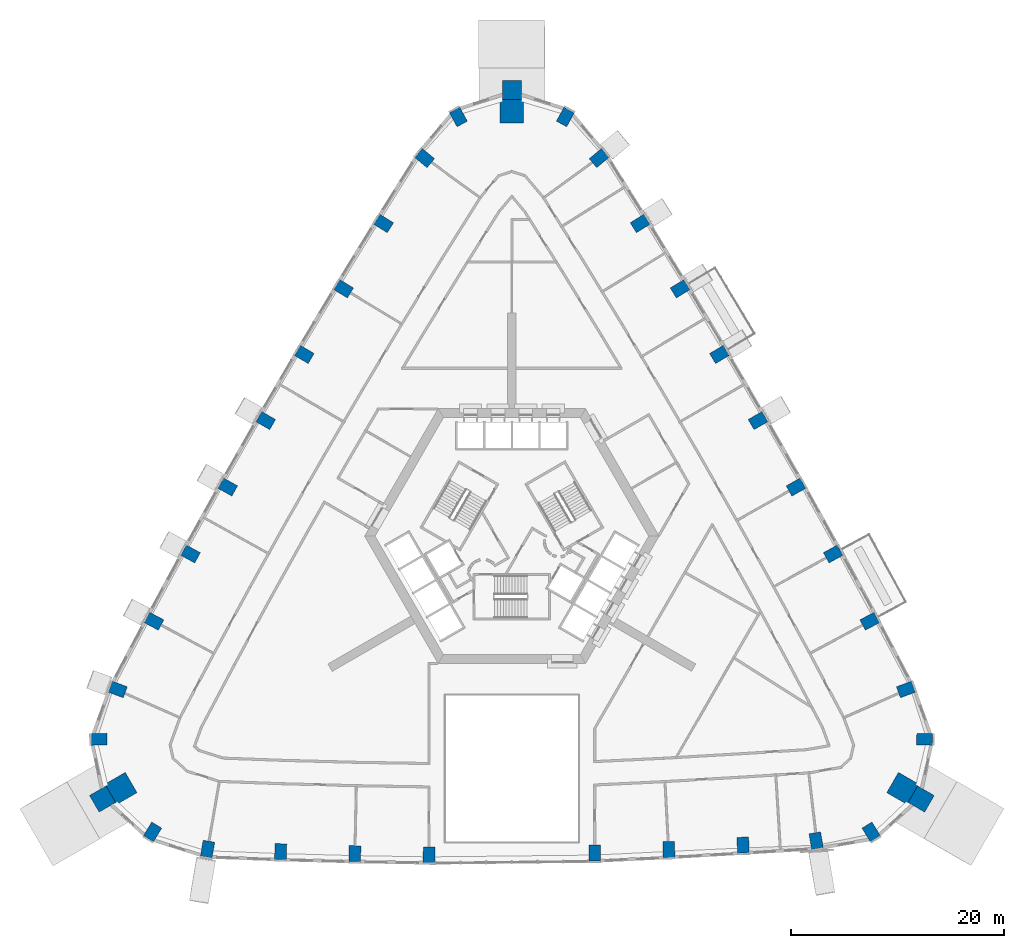
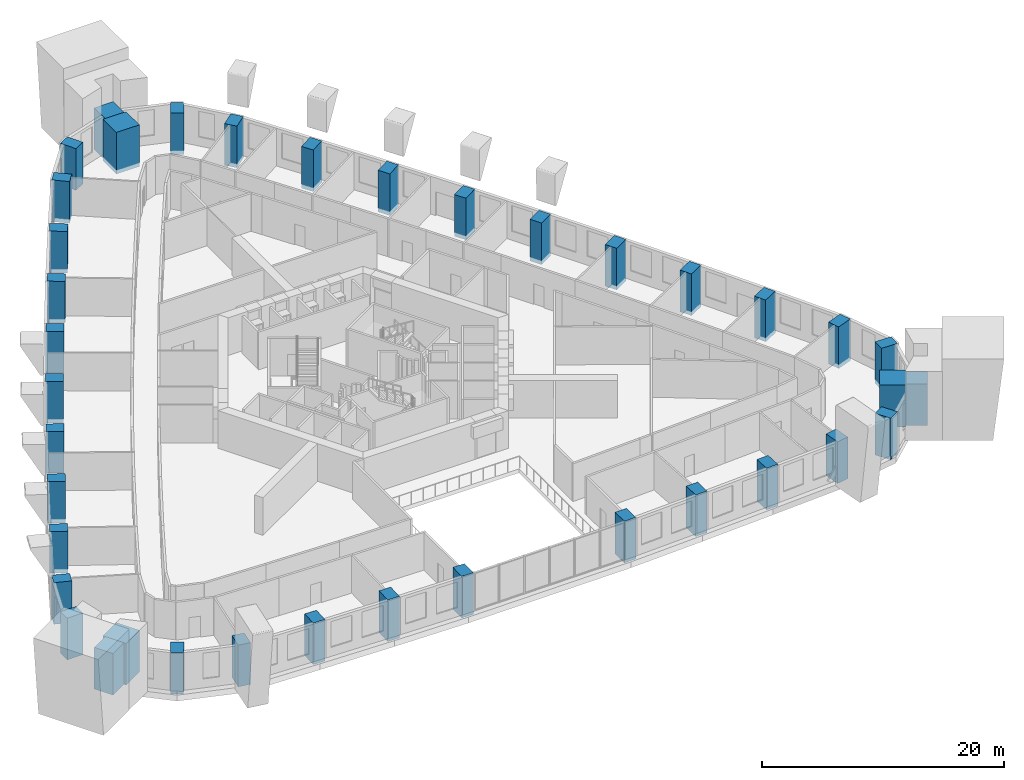
# One storey, part 1 of 15: 38 columns.
"""IFC4 building model written with IfcOpenShell, lengths in metres."""

from ifc_helpers import new_model, si_unit, direction, frame, origin, origin_2d, place, context, subcontext, project, spatial, rectangle, extrude, material, material_profile, profile_set, type_object, element, save


model = new_model("IFC4")

# Units and contexts
model_context = context("Model", 3, precision=1e-05, world=origin(), true_north=direction((0.0, 1.0)))
body_context = subcontext(model_context, "Body", "Model", "MODEL_VIEW")
ifc_project = project(units=[si_unit("LENGTHUNIT", "METRE"), si_unit("AREAUNIT", "SQUARE_METRE"), si_unit("VOLUMEUNIT", "CUBIC_METRE"), si_unit("PLANEANGLEUNIT", "RADIAN"), si_unit("MASSUNIT", "GRAM", prefix="KILO")], contexts=[model_context])

# Site, building, storey
site_placement = place(None, origin())
site = spatial("IfcSite", under=ifc_project, at=site_placement, CompositionType="ELEMENT")
building_placement = place(site_placement, origin())
building = spatial("IfcBuilding", under=site, at=building_placement, Name="Entoto Arch Interchange Tower", CompositionType="ELEMENT")
storey_placement = place(building_placement, frame((0.0, 0.0, 124.39990234375)))
storey = spatial("IfcBuildingStorey", under=building, at=storey_placement, Name="L27", CompositionType="ELEMENT", Elevation=124.39990234375)

# Columns
ifc_material_1 = material(Name="Concrete C60/75", Category="concrete")
ifc_material_profile_1 = material_profile(ifc_material_1, rectangle(XDim=1.10009765625, YDim=1.5, at=origin_2d()))
ifc_profile_set_1 = profile_set([ifc_material_profile_1], Name="Concrete C60/75")
column_type_1 = type_object("IfcColumnType", Name="Column RC 1100x1500 C60/75", PredefinedType="COLUMN", material=ifc_profile_set_1)
for number, where, z_axis, x_axis, name in (
    (1, (-28.633056640625, -26.949951171875, -0.39990234375), (0.0, 0.0, 1.0), (-0.985759288085, 0.168162498658, 0.0), "Column S01 L27"),
    (2, (-21.757080078125, -27.196044921875, -0.39990234375), (0.0, 0.0, 1.0), (-0.999373652571, 0.035387887008, 0.0), "Column S02 L27"),
    (3, (-14.77294921875, -27.382080078125, -0.39990234375), (0.0, 0.0, 1.0), (-0.999711216939, 0.024030870297, 0.0), "Column S03 L27"),
    (4, (-7.7919921875, -27.498046875, -0.39990234375), (0.0, 0.0, 1.0), (-0.999958020206, 0.009162850353, 0.0), "Column S04 L27"),
    (5, (7.7919921875, -27.324951171875, -0.39990234375), (0.0, 0.0, 1.0), (0.999958020206, 0.009162850353, 0.0), "Column S05 L27"),
    (6, (14.77294921875, -26.987060546875, -0.39990234375), (0.0, 0.0, 1.0), (0.999711216939, 0.024030870297, 0.0), "Column S06 L27"),
    (7, (21.757080078125, -26.5791015625, -0.39990234375), (0.0, 0.0, 1.0), (0.999373652571, 0.035387887008, 0.0), "Column S07 L27"),
    (8, (28.633056640625, -26.157958984375, -0.39990234375), (0.0, 0.0, 1.0), (0.985759288085, 0.168162498658, 0.0), "Column S08 L27"),
    (9, (33.80810546875, -25.3310546875, -0.39990234375), (0.0, 0.0, 1.0), (0.854095929175, 0.520115510024, 0.0), "Column SE1 L27"),
    (10, (38.841064453125, -16.614013671875, -0.39990234375), (0.0, 0.0, 1.0), (0.023385279996, 0.999726526946, 0.0), "Column SE3 L27"),
    (11, (37.080078125, -11.930908203125, -0.39990234375), (0.0, 0.0, 1.0), (-0.347312116358, 0.937749590152, 0.0), "Column NE01 L27"),
    (12, (33.674072265625, -5.509033203125, -0.39990234375), (0.0, 0.0, 1.0), (-0.469332863911, 0.883021326386, 0.0), "Column NE02 L27"),
    (13, (30.238037109375, 0.822021484375, -0.39990234375), (0.0, 0.0, 1.0), (-0.479611016922, 0.87748120917, 0.0), "Column NE03 L27"),
    (14, (26.735107421875, 7.116943359375, -0.39990234375), (0.0, 0.0, 1.0), (-0.489838999048, 0.87181291285, 0.0), "Column NE04 L27"),
    (15, (23.166015625, 13.375, -0.39990234375), (0.0, 0.0, 1.0), (-0.5, 0.866025403784, 0.0), "Column NE05 L27"),
    (16, (19.531982421875, 19.594970703125, -0.39990234375), (0.0, 0.0, 1.0), (-0.510092630351, 0.860119473365, 0.0), "Column NE06 L27"),
    (17, (15.8310546875, 25.77587890625, -0.39990234375), (0.0, 0.0, 1.0), (-0.520115510024, 0.854095929175, 0.0), "Column NE07 L27"),
    (18, (12.06591796875, 31.9169921875, -0.39990234375), (0.0, 0.0, 1.0), (-0.530067268476, 0.847955594881, 0.0), "Column NE08 L27"),
    (19, (8.2080078125, 38.076904296875, -0.39990234375), (0.0, 0.0, 1.0), (-0.638458909281, 0.769655910885, 0.0), "Column NE09 L27"),
    (20, (5.032958984375, 41.944091796875, -0.39990234375), (0.0, 0.0, 1.0), (-0.87748120917, 0.479611016922, 0.0), "Column N1 L27"),
    (21, (-5.032958984375, 41.944091796875, -0.39990234375), (0.0, 0.0, 1.0), (0.87748120917, 0.479611016922, 0.0), "Column N3 L27"),
    (22, (-8.2080078125, 38.076904296875, -0.39990234375), (0.0, 0.0, 1.0), (0.638458909281, 0.769655910885, 0.0), "Column NW01 L27"),
    (23, (-12.06591796875, 31.9169921875, -0.39990234375), (0.0, 0.0, 1.0), (0.530067268476, 0.847955594881, 0.0), "Column NW02 L27"),
    (24, (-15.8310546875, 25.77587890625, -0.39990234375), (0.0, 0.0, 1.0), (0.520115510024, 0.854095929175, 0.0), "Column NW03 L27"),
    (25, (-19.531982421875, 19.594970703125, -0.39990234375), (0.0, 0.0, 1.0), (0.510092630351, 0.860119473365, 0.0), "Column NW04 L27"),
    (26, (-23.166015625, 13.375, -0.39990234375), (0.0, 0.0, 1.0), (0.5, 0.866025403784, 0.0), "Column NW05 L27"),
    (27, (-26.735107421875, 7.116943359375, -0.39990234375), (0.0, 0.0, 1.0), (0.489838999048, 0.87181291285, 0.0), "Column NW06 L27"),
    (28, (-30.238037109375, 0.822021484375, -0.39990234375), (0.0, 0.0, 1.0), (0.479611016922, 0.87748120917, 0.0), "Column NW07 L27"),
    (29, (-33.674072265625, -5.509033203125, -0.39990234375), (0.0, 0.0, 1.0), (0.469332863911, 0.883021326386, 0.0), "Column NW08 L27"),
    (30, (-37.080078125, -11.930908203125, -0.39990234375), (0.0, 0.0, 1.0), (0.347312116358, 0.937749590152, 0.0), "Column NW09 L27"),
    (31, (-38.841064453125, -16.614013671875, -0.39990234375), (0.0, 0.0, 1.0), (-0.023385279996, 0.999726526946, 0.0), "Column SW1 L27"),
    (32, (-33.80810546875, -25.3310546875, -0.39990234375), (0.0, 0.0, 1.0), (-0.854095929175, 0.520115510024, 0.0), "Column SW3 L27"),
):
    element("IfcColumn", number, at=place(storey_placement, frame(where, z_axis=z_axis, x_axis=x_axis)), inside=storey, type_object=column_type_1, Name=name, PredefinedType="COLUMN", context=body_context, shape_type="SweptSolid", body=[
        extrude(rectangle(XDim=1.10009765625, YDim=1.5, at=origin_2d()), origin(), (0.0, 0.0, 1.0), 4.199951171875),
    ])
ifc_material_2 = material(Name="Precast concrete C40/50", Category="concrete")
ifc_material_profile_2 = material_profile(ifc_material_2, rectangle(XDim=1.800048828125, YDim=1.800048828125, at=origin_2d()))
ifc_profile_set_2 = profile_set([ifc_material_profile_2], Name="Precast concrete C40/50")
column_type_2 = type_object("IfcColumnType", Name="Frame post RC 1800x1800 precast C40/50", PredefinedType="COLUMN", material=ifc_profile_set_2)
for number, where, z_axis, x_axis, name in (
    (33, (38.512939453125, -22.236083984375, -0.39990234375), (0.0, 0.0, 1.0), (-0.866025403784, 0.5, 0.0), "Frame post SE L27"),
    (34, (0.0, 44.470947265625, -0.39990234375), (0.0, 0.0, 1.0), (0.0, 1.0, 0.0), "Frame post N L27"),
    (35, (-38.512939453125, -22.236083984375, -0.39990234375), (0.0, 0.0, 1.0), (0.866025403784, 0.5, 0.0), "Frame post SW L27"),
):
    element("IfcColumn", number, at=place(storey_placement, frame(where, z_axis=z_axis, x_axis=x_axis)), inside=storey, type_object=column_type_2, Name=name, PredefinedType="COLUMN", context=body_context, shape_type="SweptSolid", body=[
        extrude(rectangle(XDim=1.800048828125, YDim=1.800048828125, at=origin_2d()), origin(), (0.0, 0.0, 1.0), 4.199951171875),
    ])
ifc_material_profile_3 = material_profile(ifc_material_1, rectangle(XDim=2.199951171875, YDim=2.199951171875, at=origin_2d()))
ifc_profile_set_3 = profile_set([ifc_material_profile_3], Name="Concrete C60/75")
column_type_3 = type_object("IfcColumnType", Name="Mega column RC 2200x2200 C60/75", PredefinedType="COLUMN", material=ifc_profile_set_3)
for number, where, z_axis, x_axis, name in (
    (36, (36.781005859375, -21.236083984375, -0.39990234375), (0.0, 0.0, 1.0), (-0.866025403784, 0.5, 0.0), "Corner mega column SE2 L27"),
    (37, (0.0, 42.470947265625, -0.39990234375), (0.0, 0.0, 1.0), (0.0, 1.0, 0.0), "Corner mega column N2 L27"),
    (38, (-36.781005859375, -21.236083984375, -0.39990234375), (0.0, 0.0, 1.0), (0.866025403784, 0.5, 0.0), "Corner mega column SW2 L27"),
):
    element("IfcColumn", number, at=place(storey_placement, frame(where, z_axis=z_axis, x_axis=x_axis)), inside=storey, type_object=column_type_3, Name=name, PredefinedType="COLUMN", context=body_context, shape_type="SweptSolid", body=[
        extrude(rectangle(XDim=2.199951171875, YDim=2.199951171875, at=origin_2d()), origin(), (0.0, 0.0, 1.0), 4.199951171875),
    ])

save(model, "model.ifc")
